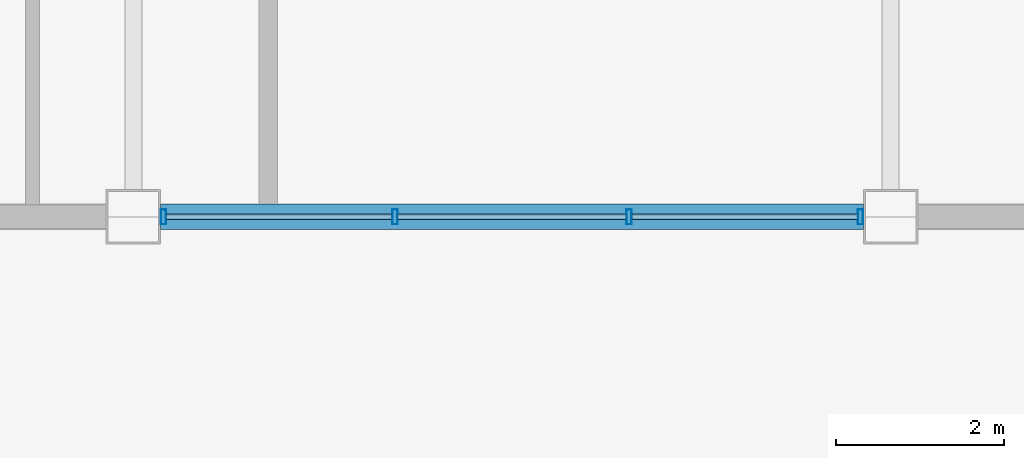
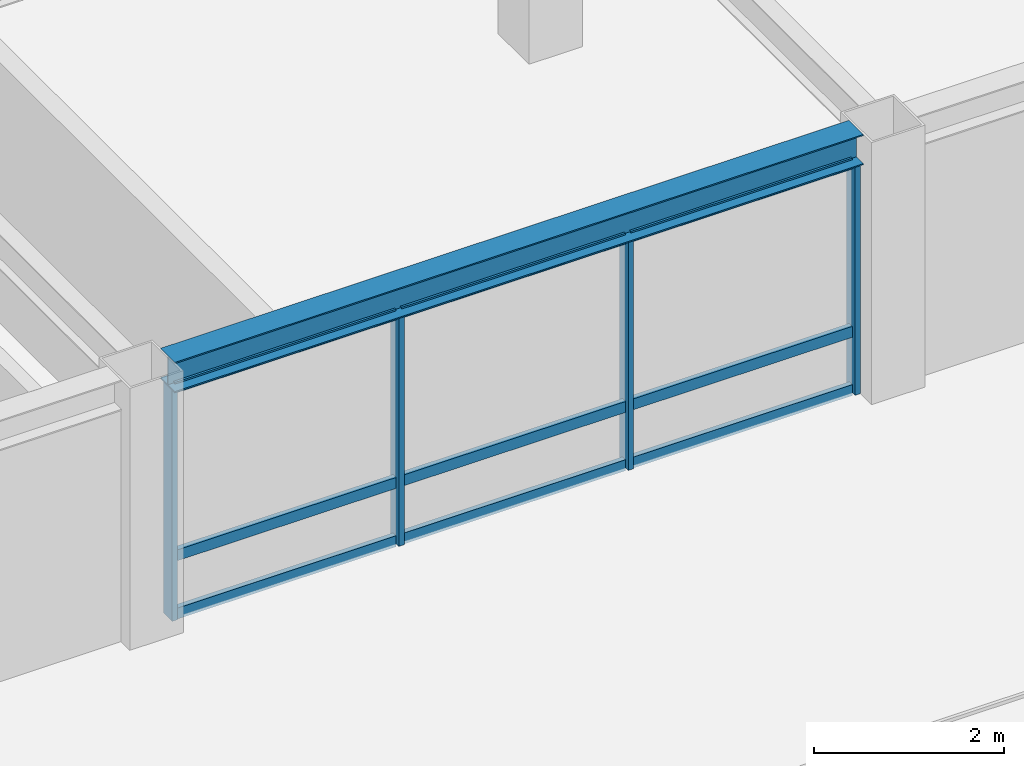
# One storey, part 22 of 34: 13 members, 1 beam, 1 element without a shape of its own.
"""IFC4 building model written with IfcOpenShell, lengths in metres."""

import ifcopenshell
import ifcopenshell.guid

model = None  # the IFC model being written
_history = None  # IfcOwnerHistory: only IFC2X3 demands one
_inside = {}  # id of a spatial element -> (the spatial element, [elements in it])
_under = {}  # id of a project, library or spatial element -> (it, [spatial elements below it])
_declared = {}  # id of a project -> (the project, [libraries it declares])
_typed = {}  # id of a type object -> (the type object, [elements of that type])
_made_of = {}  # id of a material, layer set ... -> (it, [elements and type objects made of it])


def new_model(schema):
    """Start an empty IFC model of exactly this schema.

    Asked for "IFC4X3", IfcOpenShell would pick the latest addendum, in which some entities
    have other attributes; the version numbers below select the first issue.
    IFC2X3 requires an IfcOwnerHistory on every rooted entity: one is made here for all.
    """
    global model, _history
    if schema == "IFC4X3":
        model = ifcopenshell.file(schema_version=(4, 3, 0, 0))
    else:
        model = ifcopenshell.file(schema=schema)
    _inside.clear()
    _under.clear()
    _declared.clear()
    _typed.clear()
    _made_of.clear()
    _history = None
    if model.schema == "IFC2X3":
        org = make("IfcOrganization", Name="unknown")
        user = make(
            "IfcPersonAndOrganization",
            ThePerson=make("IfcPerson", FamilyName="unknown"),
            TheOrganization=org,
        )
        app = make(
            "IfcApplication",
            ApplicationDeveloper=org,
            Version="unknown",
            ApplicationFullName="unknown",
            ApplicationIdentifier="unknown",
        )
        _history = make(
            "IfcOwnerHistory",
            OwningUser=user,
            OwningApplication=app,
            ChangeAction="ADDED",
            CreationDate=0,
        )
    return model


def make(cls, **values):
    """One entity of the class cls with the attributes given. An attribute that is None is left unset."""
    return model.create_entity(
        cls, **{name: value for name, value in values.items() if value is not None}
    )


def rooted(cls, **values):
    """An entity with a GlobalId (a new one), such as an element, a storey or a relation."""
    return make(cls, GlobalId=ifcopenshell.guid.new(), OwnerHistory=_history, **values)


def si_unit(unit_type, name, prefix=None):
    """IfcSIUnit, for example si_unit("LENGTHUNIT", "METRE", prefix="MILLI")."""
    return make("IfcSIUnit", UnitType=unit_type, Prefix=prefix, Name=name)


def assignment(units):
    """IfcUnitAssignment: the units of a project."""
    return None if units is None else make("IfcUnitAssignment", Units=units)


def point(xyz):
    """IfcCartesianPoint."""
    return None if xyz is None else make("IfcCartesianPoint", Coordinates=xyz)


def direction(xyz):
    """IfcDirection."""
    return None if xyz is None else make("IfcDirection", DirectionRatios=xyz)


def frame(location, z_axis=None, x_axis=None):
    """IfcAxis2Placement3D, a coordinate frame: its origin and axes. An axis left out is left unset."""
    return make(
        "IfcAxis2Placement3D",
        Location=point(location),
        Axis=direction(z_axis),
        RefDirection=direction(x_axis),
    )


def frame_2d(location, x_axis=None):
    """IfcAxis2Placement2D, a coordinate frame in the plane: its origin and x axis."""
    return make(
        "IfcAxis2Placement2D", Location=point(location), RefDirection=direction(x_axis)
    )


def origin():
    """The frame at (0, 0, 0) with its axes left unset."""
    return frame((0.0, 0.0, 0.0))


def origin_2d():
    """The frame at (0, 0) in the plane with its x axis left unset."""
    return frame_2d((0.0, 0.0))


def place(relative_to, where):
    """IfcLocalPlacement: puts the frame where relative to a parent placement (None: the world)."""
    return make(
        "IfcLocalPlacement", PlacementRelTo=relative_to, RelativePlacement=where
    )


def context(
    kind, dimensions, precision=None, world=None, true_north=None, identifier=None
):
    """IfcGeometricRepresentationContext, for example the 3D "Model" context."""
    return make(
        "IfcGeometricRepresentationContext",
        ContextIdentifier=identifier,
        ContextType=kind,
        CoordinateSpaceDimension=dimensions,
        Precision=precision,
        WorldCoordinateSystem=world,
        TrueNorth=true_north,
    )


def subcontext(parent, identifier, kind, view, scale=None):
    """IfcGeometricRepresentationSubContext, for example "Body" below "Model"."""
    return make(
        "IfcGeometricRepresentationSubContext",
        ContextIdentifier=identifier,
        ContextType=kind,
        ParentContext=parent,
        TargetScale=scale,
        TargetView=view,
    )


def project(units=None, contexts=None):
    """IfcProject with its units and contexts."""
    return rooted(
        "IfcProject",
        Name="project",
        RepresentationContexts=contexts,
        UnitsInContext=assignment(units),
    )


def spatial(cls, under=None, at=None, **own):
    """A site, building, storey or space (cls), placed at a placement, below another one or the project."""
    s = rooted(cls, ObjectPlacement=at, **own)
    if under is not None:
        _under.setdefault(under.id(), (under, []))[1].append(s)
    return s


def profile(cls, at=None, kind="AREA", **sizes):
    """A parametric profile (cls). Its sizes go by their IFC names, for example OverallWidth=200.0."""
    return make(cls, ProfileType=kind, Position=at, **sizes)


def hollow_rectangle(**sizes):
    """IfcRectangleHollowProfileDef."""
    return profile("IfcRectangleHollowProfileDef", **sizes)


def i_section(**sizes):
    """IfcIShapeProfileDef."""
    return profile("IfcIShapeProfileDef", **sizes)


def extrude(swept, where, along, depth):
    """IfcExtrudedAreaSolid: the profile swept, set in the frame where, extruded along a direction by depth."""
    return make(
        "IfcExtrudedAreaSolid",
        SweptArea=swept,
        Position=where,
        ExtrudedDirection=direction(along),
        Depth=depth,
    )


def shape(context_of_items, identifier, shape_type, items):
    """IfcShapeRepresentation: the items that make up one representation, for example the "Body"."""
    return make(
        "IfcShapeRepresentation",
        ContextOfItems=context_of_items,
        RepresentationIdentifier=identifier,
        RepresentationType=shape_type,
        Items=items,
    )


def material(Name=None, Category=None):
    """IfcMaterial."""
    return make("IfcMaterial", Name=Name, Category=Category)


def material_profile(
    of_material, cross_section, Name=None, Category=None, Priority=None
):
    """IfcMaterialProfile: a cross section and its material."""
    return make(
        "IfcMaterialProfile",
        Name=Name,
        Material=of_material,
        Profile=cross_section,
        Priority=Priority,
        Category=Category,
    )


def profile_set(profiles, Name=None, composite=None):
    """IfcMaterialProfileSet."""
    return make(
        "IfcMaterialProfileSet",
        Name=Name,
        MaterialProfiles=profiles,
        CompositeProfile=composite,
    )


def made_of(thing, what):
    """Note that an element or type object is made of a material, layer set ...; save() writes the relation."""
    if what is not None:
        _made_of.setdefault(what.id(), (what, []))[1].append(thing)
    return thing


def type_object(cls, material=None, **own):
    """A type object (cls), such as IfcWallType, which elements share."""
    return made_of(rooted(cls, **own), material)


def element(
    cls,
    number,
    at=None,
    inside=None,
    cuts=None,
    type_object=None,
    material=None,
    context=None,
    identifier="Body",
    shape_type=None,
    held_by="IfcProductDefinitionShape",
    body=None,
    shapes=None,
    **own,
):
    """One element of the class cls, such as IfcWall. Its Tag is "e" and its number.

    at: its placement. inside: the storey or other place that contains it. cuts: it is an
    opening in that element (IfcRelVoidsElement). A single representation is given by context,
    identifier, shape_type and body (its items); several are given by shapes. held_by: the class
    of the entity that holds the representations. save() writes the other relations.
    """
    e = rooted(cls, Tag="e%d" % number, ObjectPlacement=at, **own)
    if body is not None:
        shapes = [shape(context, identifier, shape_type, body)]
    if shapes is not None:
        e.Representation = make(held_by, Representations=shapes)
    if inside is not None:
        _inside.setdefault(inside.id(), (inside, []))[1].append(e)
    if cuts is not None:
        rooted(
            "IfcRelVoidsElement", RelatingBuildingElement=cuts, RelatedOpeningElement=e
        )
    if type_object is not None:
        _typed.setdefault(type_object.id(), (type_object, []))[1].append(e)
    return made_of(e, material)


def aggregate(whole, parts):
    """IfcRelAggregates: a whole, such as a stair, and the parts it consists of."""
    return rooted("IfcRelAggregates", RelatingObject=whole, RelatedObjects=parts)


def save(model, path):
    """Write the relations noted so far, then the file.

    IfcRelAggregates (storeys below a building ...), IfcRelContainedInSpatialStructure (elements
    in a storey), IfcRelDefinesByType, IfcRelAssociatesMaterial and IfcRelDeclares: one each for
    every whole, place, type object, material and project.
    """
    for whole, parts in _under.values():
        aggregate(whole, parts)
    for where, things in _inside.values():
        rooted(
            "IfcRelContainedInSpatialStructure",
            RelatedElements=things,
            RelatingStructure=where,
        )
    for kind, things in _typed.values():
        rooted("IfcRelDefinesByType", RelatedObjects=things, RelatingType=kind)
    for what, things in _made_of.values():
        rooted("IfcRelAssociatesMaterial", RelatedObjects=things, RelatingMaterial=what)
    for by, libraries in _declared.values():
        rooted("IfcRelDeclares", RelatingContext=by, RelatedDefinitions=libraries)
    model.write(path)


model = new_model("IFC4")

# Units and contexts
model_context = context("Model", 3, precision=1e-05, world=origin(), true_north=direction((0.0, 1.0)))
body_context = subcontext(model_context, "Body", "Model", "MODEL_VIEW")
ifc_project = project(units=[si_unit("LENGTHUNIT", "METRE"), si_unit("AREAUNIT", "SQUARE_METRE"), si_unit("VOLUMEUNIT", "CUBIC_METRE"), si_unit("PLANEANGLEUNIT", "RADIAN"), si_unit("MASSUNIT", "GRAM", prefix="KILO")], contexts=[model_context])

# Site, building, storey
site_placement = place(None, origin())
site = spatial("IfcSite", under=ifc_project, at=site_placement, CompositionType="ELEMENT")
building_placement = place(site_placement, origin())
building = spatial("IfcBuilding", under=site, at=building_placement, Name="Kazanami Central Library", CompositionType="ELEMENT")
storey_placement = place(building_placement, frame((0.0, 0.0, 17.0)))
storey = spatial("IfcBuildingStorey", under=building, at=storey_placement, Name="L05", CompositionType="ELEMENT", Elevation=17.0)

# Beam
ifc_material_1 = material(Name="Steel SN490B (325 MPa)", Category="steel")
ifc_material_profile_1 = material_profile(ifc_material_1, i_section(OverallWidth=0.300048828125, OverallDepth=0.389892578125, WebThickness=0.010009765625, FlangeThickness=0.01611328125, at=origin_2d()), Name="H-390x300x10x16")
ifc_profile_set_1 = profile_set([ifc_material_profile_1], Name="Steel SN490B (325 MPa)")
beam_type = type_object("IfcBeamType", Name="BM-SP-4", PredefinedType="SPANDREL", material=ifc_profile_set_1)
beam_placement = place(storey_placement, frame((144.322998046875, 50.39990234375, 3.1650390625), z_axis=(1.0, 0.0, 0.0), x_axis=(0.0, 1.0, 0.0)))
element("IfcBeam", 1, at=beam_placement, inside=storey, type_object=beam_type, Name="Girder SP-4 L05 H/17-18", PredefinedType="SPANDREL", context=body_context, shape_type="SweptSolid", body=[
    extrude(i_section(OverallWidth=0.300048828125, OverallDepth=0.389892578125, WebThickness=0.010009765625, FlangeThickness=0.01611328125, at=origin_2d()), origin(), (0.0, 0.0, 1.0), 8.35400390625),
])

# Curtain wall, members
ifc_material_2 = material(Name="Acid-Etched Low-E Laminated Glass", Category="glass")
curtain_wall_type = type_object("IfcCurtainWallType", Name="CW-8350x2970-M275", PredefinedType="USERDEFINED", material=ifc_material_2)
curtain_wall_placement = place(storey_placement, origin())
curtain_wall = element("IfcCurtainWall", 2, at=curtain_wall_placement, inside=storey, type_object=curtain_wall_type, Name="Unitised Curtain Wall CW-49 L05 S-H-16", ObjectType="UNITISED CURTAIN WALL", PredefinedType="USERDEFINED")
ifc_material_3 = material(Name="Anodised Aluminium A6063-T5", Category="aluminium")
ifc_material_profile_2 = material_profile(ifc_material_3, hollow_rectangle(XDim=0.06494140625, YDim=0.179931640625, WallThickness=0.00390625, at=origin_2d()), Name="ALU-MULL-65x180x4")
ifc_profile_set_2 = profile_set([ifc_material_profile_2], Name="Anodised Aluminium A6063-T5")
member_type_1 = type_object("IfcMemberType", Name="MEM-CW-M2", PredefinedType="MULLION", material=ifc_profile_set_2)
member_1_placement = place(storey_placement, frame((144.357421875, 50.39990234375, 0.0), z_axis=(0.0, 0.0, 1.0), x_axis=(1.0, 0.0, 0.0)))
member_1 = element("IfcMember", 3, at=member_1_placement, type_object=member_type_1, Name="CW-49 mullion 1", PredefinedType="MULLION", context=body_context, shape_type="SweptSolid", body=[
    extrude(hollow_rectangle(XDim=0.06494140625, YDim=0.179931640625, WallThickness=0.00390625, at=origin_2d()), origin(), (0.0, 0.0, 1.0), 2.969970703125),
])
member_2_placement = place(storey_placement, frame((147.1083984375, 50.39990234375, 0.0), z_axis=(0.0, 0.0, 1.0), x_axis=(1.0, 0.0, 0.0)))
member_2 = element("IfcMember", 4, at=member_2_placement, type_object=member_type_1, Name="CW-49 mullion 2", PredefinedType="MULLION", context=body_context, shape_type="SweptSolid", body=[
    extrude(hollow_rectangle(XDim=0.06494140625, YDim=0.179931640625, WallThickness=0.00390625, at=origin_2d()), origin(), (0.0, 0.0, 1.0), 2.969970703125),
])
member_3_placement = place(storey_placement, frame((149.8916015625, 50.39990234375, 0.0), z_axis=(0.0, 0.0, 1.0), x_axis=(1.0, 0.0, 0.0)))
member_3 = element("IfcMember", 5, at=member_3_placement, type_object=member_type_1, Name="CW-49 mullion 3", PredefinedType="MULLION", context=body_context, shape_type="SweptSolid", body=[
    extrude(hollow_rectangle(XDim=0.06494140625, YDim=0.179931640625, WallThickness=0.00390625, at=origin_2d()), origin(), (0.0, 0.0, 1.0), 2.969970703125),
])
member_4_placement = place(storey_placement, frame((152.642578125, 50.39990234375, 0.0), z_axis=(0.0, 0.0, 1.0), x_axis=(1.0, 0.0, 0.0)))
member_4 = element("IfcMember", 6, at=member_4_placement, type_object=member_type_1, Name="CW-49 mullion 4", PredefinedType="MULLION", context=body_context, shape_type="SweptSolid", body=[
    extrude(hollow_rectangle(XDim=0.06494140625, YDim=0.179931640625, WallThickness=0.00390625, at=origin_2d()), origin(), (0.0, 0.0, 1.0), 2.969970703125),
])
ifc_material_profile_3 = material_profile(ifc_material_3, hollow_rectangle(XDim=0.06494140625, YDim=0.139892578125, WallThickness=0.00390625, at=origin_2d()), Name="ALU-TRAN-65x140x4")
ifc_profile_set_3 = profile_set([ifc_material_profile_3], Name="Anodised Aluminium A6063-T5")
member_type_2 = type_object("IfcMemberType", Name="MEM-CW-T2", PredefinedType="USERDEFINED", material=ifc_profile_set_3)
member_5_placement = place(storey_placement, frame((144.389892578125, 50.39990234375, 0.032470703125), z_axis=(1.0, 0.0, 0.0), x_axis=(0.0, 1.0, 0.0)))
member_5 = element("IfcMember", 7, at=member_5_placement, type_object=member_type_2, Name="CW-49 transom 1.1", ObjectType="TRANSOM", PredefinedType="USERDEFINED", context=body_context, shape_type="SweptSolid", body=[
    extrude(hollow_rectangle(XDim=0.06494140625, YDim=0.139892578125, WallThickness=0.00390625, at=origin_2d()), origin(), (0.0, 0.0, 1.0), 2.68603515625),
])
member_6_placement = place(storey_placement, frame((144.389892578125, 50.39990234375, 0.780029296875), z_axis=(1.0, 0.0, 0.0), x_axis=(0.0, 1.0, 0.0)))
member_6 = element("IfcMember", 8, at=member_6_placement, type_object=member_type_2, Name="CW-49 transom 1.2", ObjectType="TRANSOM", PredefinedType="USERDEFINED", context=body_context, shape_type="SweptSolid", body=[
    extrude(hollow_rectangle(XDim=0.06494140625, YDim=0.139892578125, WallThickness=0.00390625, at=origin_2d()), origin(), (0.0, 0.0, 1.0), 2.68603515625),
])
member_7_placement = place(storey_placement, frame((144.389892578125, 50.39990234375, 2.9375), z_axis=(1.0, 0.0, 0.0), x_axis=(0.0, 1.0, 0.0)))
member_7 = element("IfcMember", 9, at=member_7_placement, type_object=member_type_2, Name="CW-49 transom 1.3", ObjectType="TRANSOM", PredefinedType="USERDEFINED", context=body_context, shape_type="SweptSolid", body=[
    extrude(hollow_rectangle(XDim=0.06494140625, YDim=0.139892578125, WallThickness=0.00390625, at=origin_2d()), origin(), (0.0, 0.0, 1.0), 2.68603515625),
])
member_8_placement = place(storey_placement, frame((147.140869140625, 50.39990234375, 0.032470703125), z_axis=(1.0, 0.0, 0.0), x_axis=(0.0, 1.0, 0.0)))
member_8 = element("IfcMember", 10, at=member_8_placement, type_object=member_type_2, Name="CW-49 transom 2.1", ObjectType="TRANSOM", PredefinedType="USERDEFINED", context=body_context, shape_type="SweptSolid", body=[
    extrude(hollow_rectangle(XDim=0.06494140625, YDim=0.139892578125, WallThickness=0.00390625, at=origin_2d()), origin(), (0.0, 0.0, 1.0), 2.71826171875),
])
member_9_placement = place(storey_placement, frame((147.140869140625, 50.39990234375, 0.780029296875), z_axis=(1.0, 0.0, 0.0), x_axis=(0.0, 1.0, 0.0)))
member_9 = element("IfcMember", 11, at=member_9_placement, type_object=member_type_2, Name="CW-49 transom 2.2", ObjectType="TRANSOM", PredefinedType="USERDEFINED", context=body_context, shape_type="SweptSolid", body=[
    extrude(hollow_rectangle(XDim=0.06494140625, YDim=0.139892578125, WallThickness=0.00390625, at=origin_2d()), origin(), (0.0, 0.0, 1.0), 2.71826171875),
])
member_10_placement = place(storey_placement, frame((147.140869140625, 50.39990234375, 2.9375), z_axis=(1.0, 0.0, 0.0), x_axis=(0.0, 1.0, 0.0)))
member_10 = element("IfcMember", 12, at=member_10_placement, type_object=member_type_2, Name="CW-49 transom 2.3", ObjectType="TRANSOM", PredefinedType="USERDEFINED", context=body_context, shape_type="SweptSolid", body=[
    extrude(hollow_rectangle(XDim=0.06494140625, YDim=0.139892578125, WallThickness=0.00390625, at=origin_2d()), origin(), (0.0, 0.0, 1.0), 2.71826171875),
])
member_11_placement = place(storey_placement, frame((149.924072265625, 50.39990234375, 0.032470703125), z_axis=(1.0, 0.0, 0.0), x_axis=(0.0, 1.0, 0.0)))
member_11 = element("IfcMember", 13, at=member_11_placement, type_object=member_type_2, Name="CW-49 transom 3.1", ObjectType="TRANSOM", PredefinedType="USERDEFINED", context=body_context, shape_type="SweptSolid", body=[
    extrude(hollow_rectangle(XDim=0.06494140625, YDim=0.139892578125, WallThickness=0.00390625, at=origin_2d()), origin(), (0.0, 0.0, 1.0), 2.68603515625),
])
member_12_placement = place(storey_placement, frame((149.924072265625, 50.39990234375, 0.780029296875), z_axis=(1.0, 0.0, 0.0), x_axis=(0.0, 1.0, 0.0)))
member_12 = element("IfcMember", 14, at=member_12_placement, type_object=member_type_2, Name="CW-49 transom 3.2", ObjectType="TRANSOM", PredefinedType="USERDEFINED", context=body_context, shape_type="SweptSolid", body=[
    extrude(hollow_rectangle(XDim=0.06494140625, YDim=0.139892578125, WallThickness=0.00390625, at=origin_2d()), origin(), (0.0, 0.0, 1.0), 2.68603515625),
])
member_13_placement = place(storey_placement, frame((149.924072265625, 50.39990234375, 2.9375), z_axis=(1.0, 0.0, 0.0), x_axis=(0.0, 1.0, 0.0)))
member_13 = element("IfcMember", 15, at=member_13_placement, type_object=member_type_2, Name="CW-49 transom 3.3", ObjectType="TRANSOM", PredefinedType="USERDEFINED", context=body_context, shape_type="SweptSolid", body=[
    extrude(hollow_rectangle(XDim=0.06494140625, YDim=0.139892578125, WallThickness=0.00390625, at=origin_2d()), origin(), (0.0, 0.0, 1.0), 2.68603515625),
])
aggregate(curtain_wall, [member_1, member_2, member_3, member_4, member_5, member_6, member_7, member_8, member_9, member_10, member_11, member_12, member_13])

save(model, "model.ifc")
